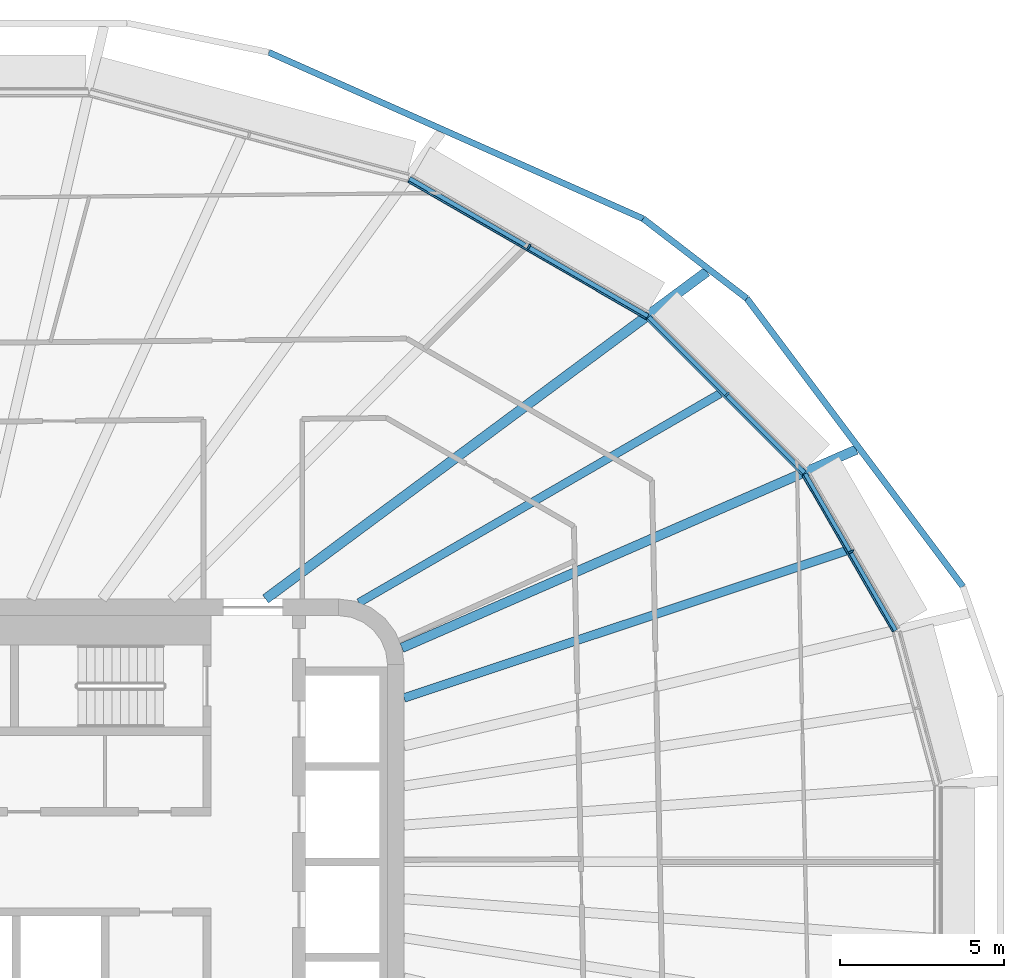
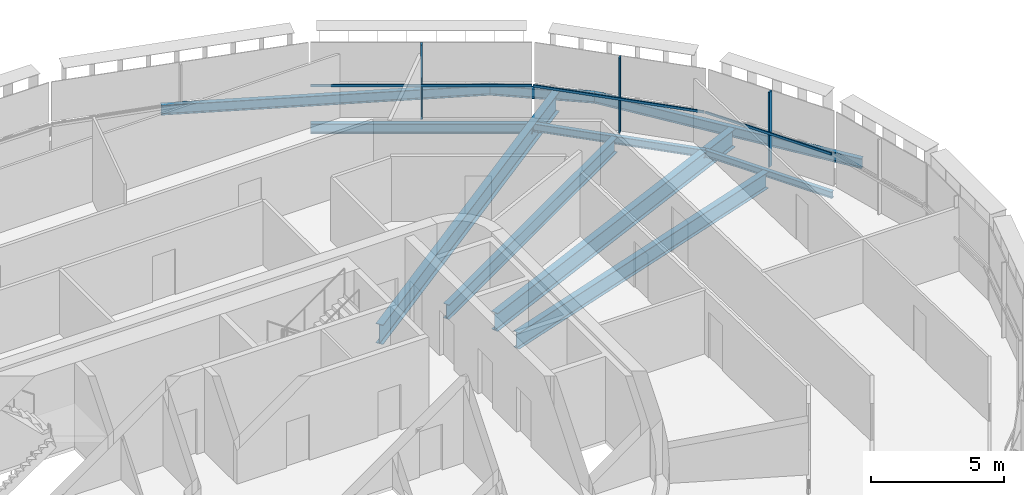
# One storey, part 7 of 23: 10 beams, 6 members, 3 elements without a shape of their own.
"""IFC4 building model written with IfcOpenShell, lengths in metres."""

from ifc_helpers import new_model, si_unit, direction, frame, origin, origin_2d, place, context, subcontext, project, spatial, rectangle, i_section, extrude, material, layer, layer_set, material_profile, profile_set, type_object, element, aggregate, save


model = new_model("IFC4")

# Units and contexts
model_context = context("Model", 3, precision=1e-05, world=origin(), true_north=direction((0.0, 1.0)))
body_context = subcontext(model_context, "Body", "Model", "MODEL_VIEW")
ifc_project = project(units=[si_unit("LENGTHUNIT", "METRE"), si_unit("AREAUNIT", "SQUARE_METRE"), si_unit("VOLUMEUNIT", "CUBIC_METRE"), si_unit("PLANEANGLEUNIT", "RADIAN"), si_unit("MASSUNIT", "GRAM", prefix="KILO")], contexts=[model_context])

# Site, building, storey
site_placement = place(None, origin())
site = spatial("IfcSite", under=ifc_project, at=site_placement, CompositionType="ELEMENT")
building_placement = place(site_placement, origin())
building = spatial("IfcBuilding", under=site, at=building_placement, Name="Sahrelin Media Tower", CompositionType="ELEMENT")
storey_placement = place(building_placement, frame((0.0, 0.0, 161.60009765625)))
storey = spatial("IfcBuildingStorey", under=building, at=storey_placement, Name="L33", CompositionType="ELEMENT", Elevation=161.60009765625)

# Beams
ifc_material_1 = material(Name="Steel S355", Category="steel")
ifc_material_profile_1 = material_profile(ifc_material_1, i_section(OverallWidth=0.1650390625, OverallDepth=0.303466796875, WebThickness=0.006103515625, FlangeThickness=0.01025390625, FilletRadius=0.0087890625, at=origin_2d()), Name="UB 305x165x40")
ifc_profile_set_1 = profile_set([ifc_material_profile_1], Name="Steel S355")
beam_type_1 = type_object("IfcBeamType", Name="Edge beam EB2", PredefinedType="BEAM", material=ifc_profile_set_1)
beam_1_placement = place(storey_placement, frame((27.1826171875, 11.80078125, -0.3017578125), z_axis=(0.499996181239, -0.866027608536, 0.0), x_axis=(0.866027608536, 0.499996181239, 0.0)))
element("IfcBeam", 1, at=beam_1_placement, inside=storey, type_object=beam_type_1, Name="Edge beam L33-23", PredefinedType="BEAM", context=body_context, shape_type="SweptSolid", body=[
    extrude(i_section(OverallWidth=0.1650390625, OverallDepth=0.303466796875, WebThickness=0.006103515625, FlangeThickness=0.01025390625, FilletRadius=0.0087890625, at=origin_2d()), origin(), (0.0, 0.0, 1.0), 5.50732421875),
])
ifc_material_profile_2 = material_profile(ifc_material_1, i_section(OverallWidth=0.17138671875, OverallDepth=0.35498046875, WebThickness=0.00732421875, FlangeThickness=0.011474609375, FilletRadius=0.01025390625, at=origin_2d()), Name="UB 356x171x51")
ifc_profile_set_2 = profile_set([ifc_material_profile_2], Name="Steel S355")
beam_type_2 = type_object("IfcBeamType", Name="Edge beam EB3", PredefinedType="BEAM", material=ifc_profile_set_2)
beam_2_placement = place(storey_placement, frame((22.424072265625, 16.564697265625, -0.32763671875), z_axis=(0.707088574851, -0.707124987054, 0.0), x_axis=(0.707124987054, 0.707088574851, 0.0)))
element("IfcBeam", 2, at=beam_2_placement, inside=storey, type_object=beam_type_2, Name="Edge beam L33-22", PredefinedType="BEAM", context=body_context, shape_type="SweptSolid", body=[
    extrude(i_section(OverallWidth=0.17138671875, OverallDepth=0.35498046875, WebThickness=0.00732421875, FlangeThickness=0.011474609375, FilletRadius=0.01025390625, at=origin_2d()), origin(), (0.0, 0.0, 1.0), 6.704833984375),
])
ifc_material_profile_3 = material_profile(ifc_material_1, i_section(OverallWidth=0.1904296875, OverallDepth=0.45703125, WebThickness=0.009033203125, FlangeThickness=0.014404296875, FilletRadius=0.01025390625, at=origin_2d()), Name="UB 457x191x74")
ifc_profile_set_3 = profile_set([ifc_material_profile_3], Name="Steel S355")
beam_type_3 = type_object("IfcBeamType", Name="Edge beam EB5", PredefinedType="BEAM", material=ifc_profile_set_3)
beam_3_placement = place(storey_placement, frame((15.15087890625, 20.76806640625, -0.378662109375), z_axis=(0.866019985848, -0.500009384024, 0.0), x_axis=(0.500009384024, 0.866019985848, 0.0)))
element("IfcBeam", 3, at=beam_3_placement, inside=storey, type_object=beam_type_3, Name="Edge beam L33-21", PredefinedType="BEAM", context=body_context, shape_type="SweptSolid", body=[
    extrude(i_section(OverallWidth=0.1904296875, OverallDepth=0.45703125, WebThickness=0.009033203125, FlangeThickness=0.014404296875, FilletRadius=0.01025390625, at=origin_2d()), origin(), (0.0, 0.0, 1.0), 8.371826171875),
])

# Curtain wall, member
ifc_material_2 = material(Name="Champagne anodised aluminium 6063-T6", Category="aluminium")
ifc_layer = layer(ifc_material_2, 0.14990234375)
ifc_layer_set = layer_set([ifc_layer], Name="Tower ribbon curtain wall")
curtain_wall_type = type_object("IfcCurtainWallType", Name="Tower ribbon curtain wall", PredefinedType="NOTDEFINED", material=ifc_layer_set)
curtain_wall_1_placement = place(storey_placement, frame((28.689208984375, 9.490966796875, 0.0), z_axis=(0.0, 0.0, 1.0), x_axis=(1.0, 0.0, 0.0)))
curtain_wall_1 = element("IfcCurtainWall", 4, at=curtain_wall_1_placement, inside=storey, type_object=curtain_wall_type, Name="L33:CW:L33-02", PredefinedType="NOTDEFINED")
ifc_material_profile_4 = material_profile(ifc_material_2, rectangle(XDim=0.06005859375, YDim=0.175048828125, at=origin_2d()), Name="Mullion 60x175")
ifc_profile_set_4 = profile_set([ifc_material_profile_4], Name="Champagne anodised aluminium 6063-T6")
member_type_1 = type_object("IfcMemberType", Name="Mullion 60x175 CW1B", PredefinedType="MULLION", material=ifc_profile_set_4)
member_1_placement = place(storey_placement, frame((28.59619140625, 9.437255859375, 0.0), z_axis=(0.0, 0.0, 1.0), x_axis=(-0.4999984885, 0.866026276448, 0.0)))
member_1 = element("IfcMember", 5, at=member_1_placement, type_object=member_type_1, Name="L33:CWM:L33-02", PredefinedType="MULLION", context=body_context, shape_type="SweptSolid", body=[
    extrude(rectangle(XDim=0.06005859375, YDim=0.175048828125, at=origin_2d()), origin(), (0.0, 0.0, 1.0), 3.448486328125),
])

curtain_wall_2_placement = place(storey_placement, frame((24.900634765625, 14.30029296875, 0.0), z_axis=(0.0, 0.0, 1.0), x_axis=(1.0, 0.0, 0.0)))
curtain_wall_2 = element("IfcCurtainWall", 6, at=curtain_wall_2_placement, inside=storey, type_object=curtain_wall_type, Name="L33:CW:L33-03", PredefinedType="NOTDEFINED")
member_2_placement = place(storey_placement, frame((24.824462890625, 14.22412109375, 0.0), z_axis=(0.0, 0.0, 1.0), x_axis=(-0.707106781187, 0.707106781187, 0.0)))
member_2 = element("IfcMember", 7, at=member_2_placement, type_object=member_type_1, Name="L33:CWM:L33-03", PredefinedType="MULLION", context=body_context, shape_type="SweptSolid", body=[
    extrude(rectangle(XDim=0.06005859375, YDim=0.175048828125, at=origin_2d()), origin(), (0.0, 0.0, 1.0), 3.448486328125),
])

curtain_wall_3_placement = place(storey_placement, frame((18.85107421875, 18.804931640625, 0.0), z_axis=(0.0, 0.0, 1.0), x_axis=(1.0, 0.0, 0.0)))
curtain_wall_3 = element("IfcCurtainWall", 8, at=curtain_wall_3_placement, inside=storey, type_object=curtain_wall_type, Name="L33:CW:L33-04", PredefinedType="NOTDEFINED")
member_3_placement = place(storey_placement, frame((18.797119140625, 18.7119140625, 0.0), z_axis=(0.0, 0.0, 1.0), x_axis=(-0.866025403784, 0.5, 0.0)))
member_3 = element("IfcMember", 9, at=member_3_placement, type_object=member_type_1, Name="L33:CWM:L33-04", PredefinedType="MULLION", context=body_context, shape_type="SweptSolid", body=[
    extrude(rectangle(XDim=0.06005859375, YDim=0.175048828125, at=origin_2d()), origin(), (0.0, 0.0, 1.0), 3.448486328125),
])

# Beams
ifc_material_profile_5 = material_profile(ifc_material_1, i_section(OverallWidth=0.291748046875, OverallDepth=0.8349609375, WebThickness=0.013916015625, FlangeThickness=0.018798828125, FilletRadius=0.017822265625, at=origin_2d()), Name="UB 838x292x176")
ifc_profile_set_5 = profile_set([ifc_material_profile_5], Name="Steel S355")
beam_type_4 = type_object("IfcBeamType", Name="Radial primary beam PB10", PredefinedType="BEAM", material=ifc_profile_set_5)
beam_4_placement = place(storey_placement, frame((14.9326171875, 6.51318359375, -0.567626953125), z_axis=(0.916605175985, 0.399793635964, 0.0), x_axis=(-0.399793635964, 0.916605175985, 0.0)))
element("IfcBeam", 10, at=beam_4_placement, inside=storey, type_object=beam_type_4, Name="Radial beam L33-03", PredefinedType="BEAM", context=body_context, shape_type="SweptSolid", body=[
    extrude(i_section(OverallWidth=0.291748046875, OverallDepth=0.8349609375, WebThickness=0.013916015625, FlangeThickness=0.018798828125, FilletRadius=0.017822265625, at=origin_2d()), origin(), (0.0, 0.0, 1.0), 15.082275390625),
])
ifc_material_profile_6 = material_profile(ifc_material_1, i_section(OverallWidth=0.30322265625, OverallDepth=0.903076171875, WebThickness=0.01513671875, FlangeThickness=0.020263671875, FilletRadius=0.01904296875, at=origin_2d()), Name="UB 914x305x201")
ifc_profile_set_6 = profile_set([ifc_material_profile_6], Name="Steel S355")
beam_type_5 = type_object("IfcBeamType", Name="Radial primary beam PB11", PredefinedType="BEAM", material=ifc_profile_set_6)
beam_5_placement = place(storey_placement, frame((10.784423828125, 8.0, -0.6015625), z_axis=(0.803147173912, 0.595780678637, 0.0), x_axis=(-0.595780678637, 0.803147173912, 0.0)))
element("IfcBeam", 11, at=beam_5_placement, inside=storey, type_object=beam_type_5, Name="Radial beam L33-04", PredefinedType="BEAM", context=body_context, shape_type="SweptSolid", body=[
    extrude(i_section(OverallWidth=0.30322265625, OverallDepth=0.903076171875, WebThickness=0.01513671875, FlangeThickness=0.020263671875, FilletRadius=0.01904296875, at=origin_2d()), origin(), (0.0, 0.0, 1.0), 16.7158203125),
])
ifc_material_profile_7 = material_profile(ifc_material_1, i_section(OverallWidth=0.2529296875, OverallDepth=0.677978515625, WebThickness=0.01171875, FlangeThickness=0.01611328125, FilletRadius=0.01513671875, at=origin_2d()), Name="UB 686x254x125")
ifc_profile_set_7 = profile_set([ifc_material_profile_7], Name="Steel S355")
beam_type_6 = type_object("IfcBeamType", Name="Radial secondary beam SB8", PredefinedType="BEAM", material=ifc_profile_set_7)
beam_6_placement = place(storey_placement, frame((13.624755859375, 7.887451171875, -0.489013671875), z_axis=(0.865442516247, 0.501008234535, 0.0), x_axis=(-0.501008234535, 0.865442516247, 0.0)))
element("IfcBeam", 12, at=beam_6_placement, inside=storey, type_object=beam_type_6, Name="Secondary beam L33-03", PredefinedType="BEAM", context=body_context, shape_type="SweptSolid", body=[
    extrude(i_section(OverallWidth=0.2529296875, OverallDepth=0.677978515625, WebThickness=0.01171875, FlangeThickness=0.01611328125, FilletRadius=0.01513671875, at=origin_2d()), origin(), (0.0, 0.0, 1.0), 12.700927734375),
])
ifc_material_profile_8 = material_profile(ifc_material_1, i_section(OverallWidth=0.26513671875, OverallDepth=0.75390625, WebThickness=0.0126953125, FlangeThickness=0.017578125, FilletRadius=0.0166015625, at=origin_2d()), Name="UB 762x267x147")
ifc_profile_set_8 = profile_set([ifc_material_profile_8], Name="Steel S355")
beam_type_7 = type_object("IfcBeamType", Name="Radial secondary beam SB9", PredefinedType="BEAM", material=ifc_profile_set_8)
beam_7_placement = place(storey_placement, frame((15.0, 4.990234375, -0.527099609375), z_axis=(0.948867590332, 0.315674351219, 0.0), x_axis=(-0.315674351219, 0.948867590332, 0.0)))
element("IfcBeam", 13, at=beam_7_placement, inside=storey, type_object=beam_type_7, Name="Secondary beam L33-02", PredefinedType="BEAM", context=body_context, shape_type="SweptSolid", body=[
    extrude(i_section(OverallWidth=0.26513671875, OverallDepth=0.75390625, WebThickness=0.0126953125, FlangeThickness=0.017578125, FilletRadius=0.0166015625, at=origin_2d()), origin(), (0.0, 0.0, 1.0), 14.162353515625),
])
ifc_material_profile_9 = material_profile(ifc_material_1, i_section(OverallWidth=0.1904296875, OverallDepth=0.45703125, WebThickness=0.009033203125, FlangeThickness=0.014404296875, FilletRadius=0.01025390625, at=origin_2d()), Name="UB 457x191x74")
ifc_profile_set_9 = profile_set([ifc_material_profile_9], Name="Steel S355")
beam_type_8 = type_object("IfcBeamType", Name="Tie chord TC5", PredefinedType="BEAM", material=ifc_profile_set_9)
beam_8_placement = place(storey_placement, frame((32.001708984375, 8.37646484375, -0.378662109375), z_axis=(-0.600060592458, 0.799954552071, 0.0), x_axis=(-0.799954552071, -0.600060592458, 0.0)))
element("IfcBeam", 14, at=beam_8_placement, inside=storey, type_object=beam_type_8, Name="Tie chord L33-02", PredefinedType="BEAM", context=body_context, shape_type="SweptSolid", body=[
    extrude(i_section(OverallWidth=0.1904296875, OverallDepth=0.45703125, WebThickness=0.009033203125, FlangeThickness=0.014404296875, FilletRadius=0.01025390625, at=origin_2d()), origin(), (0.0, 0.0, 1.0), 10.959228515625),
])
beam_9_placement = place(storey_placement, frame((25.425537109375, 17.143310546875, -0.378662109375), z_axis=(-0.792471121329, 0.609909437424, 0.0), x_axis=(-0.609909437424, -0.792471121329, 0.0)))
element("IfcBeam", 15, at=beam_9_placement, inside=storey, type_object=beam_type_8, Name="Tie chord L33-03", PredefinedType="BEAM", context=body_context, shape_type="SweptSolid", body=[
    extrude(i_section(OverallWidth=0.1904296875, OverallDepth=0.45703125, WebThickness=0.009033203125, FlangeThickness=0.014404296875, FilletRadius=0.01025390625, at=origin_2d()), origin(), (0.0, 0.0, 1.0), 3.978515625),
])
beam_10_placement = place(storey_placement, frame((22.272705078125, 19.56982421875, -0.378662109375), z_axis=(-0.913823664299, 0.40611120468, 0.0), x_axis=(-0.40611120468, -0.913823664299, 0.0)))
element("IfcBeam", 16, at=beam_10_placement, inside=storey, type_object=beam_type_8, Name="Tie chord L33-04", PredefinedType="BEAM", context=body_context, shape_type="SweptSolid", body=[
    extrude(i_section(OverallWidth=0.1904296875, OverallDepth=0.45703125, WebThickness=0.009033203125, FlangeThickness=0.014404296875, FilletRadius=0.01025390625, at=origin_2d()), origin(), (0.0, 0.0, 1.0), 12.464111328125),
])

# Member
ifc_material_profile_10 = material_profile(ifc_material_2, rectangle(XDim=0.050048828125, YDim=0.110107421875, at=origin_2d()), Name="Transom 50x110")
ifc_profile_set_10 = profile_set([ifc_material_profile_10], Name="Champagne anodised aluminium 6063-T6")
member_type_2 = type_object("IfcMemberType", Name="Transom 50x110 CW1B", PredefinedType="USERDEFINED", material=ifc_profile_set_10)
member_4_placement = place(storey_placement, frame((29.86767578125, 7.010009765625, 1.599853515625), z_axis=(-0.49998489776, 0.866034122891, 0.0), x_axis=(-0.866034122891, -0.49998489776, 0.0)))
member_4 = element("IfcMember", 17, at=member_4_placement, type_object=member_type_2, Name="L33:CWT:L33-02", ObjectType="TRANSOM", PredefinedType="USERDEFINED", context=body_context, shape_type="SweptSolid", body=[
    extrude(rectangle(XDim=0.050048828125, YDim=0.110107421875, at=origin_2d()), origin(), (0.0, 0.0, 1.0), 5.475830078125),
])

aggregate(curtain_wall_1, [member_1, member_4])

member_5_placement = place(storey_placement, frame((27.1044921875, 11.78515625, 1.599853515625), z_axis=(-0.707125072767, 0.707088489133, 0.0), x_axis=(-0.707088489133, -0.707125072767, 0.0)))
member_5 = element("IfcMember", 18, at=member_5_placement, type_object=member_type_2, Name="L33:CWT:L33-03", ObjectType="TRANSOM", PredefinedType="USERDEFINED", context=body_context, shape_type="SweptSolid", body=[
    extrude(rectangle(XDim=0.050048828125, YDim=0.110107421875, at=origin_2d()), origin(), (0.0, 0.0, 1.0), 6.673583984375),
])

aggregate(curtain_wall_2, [member_2, member_5])

member_6_placement = place(storey_placement, frame((22.3525390625, 16.529296875, 1.599853515625), z_axis=(-0.866018876994, 0.500011304563, 0.0), x_axis=(-0.500011304563, -0.866018876994, 0.0)))
member_6 = element("IfcMember", 19, at=member_6_placement, type_object=member_type_2, Name="L33:CWT:L33-04", ObjectType="TRANSOM", PredefinedType="USERDEFINED", context=body_context, shape_type="SweptSolid", body=[
    extrude(rectangle(XDim=0.050048828125, YDim=0.110107421875, at=origin_2d()), origin(), (0.0, 0.0, 1.0), 8.340576171875),
])

aggregate(curtain_wall_3, [member_3, member_6])

save(model, "model.ifc")
